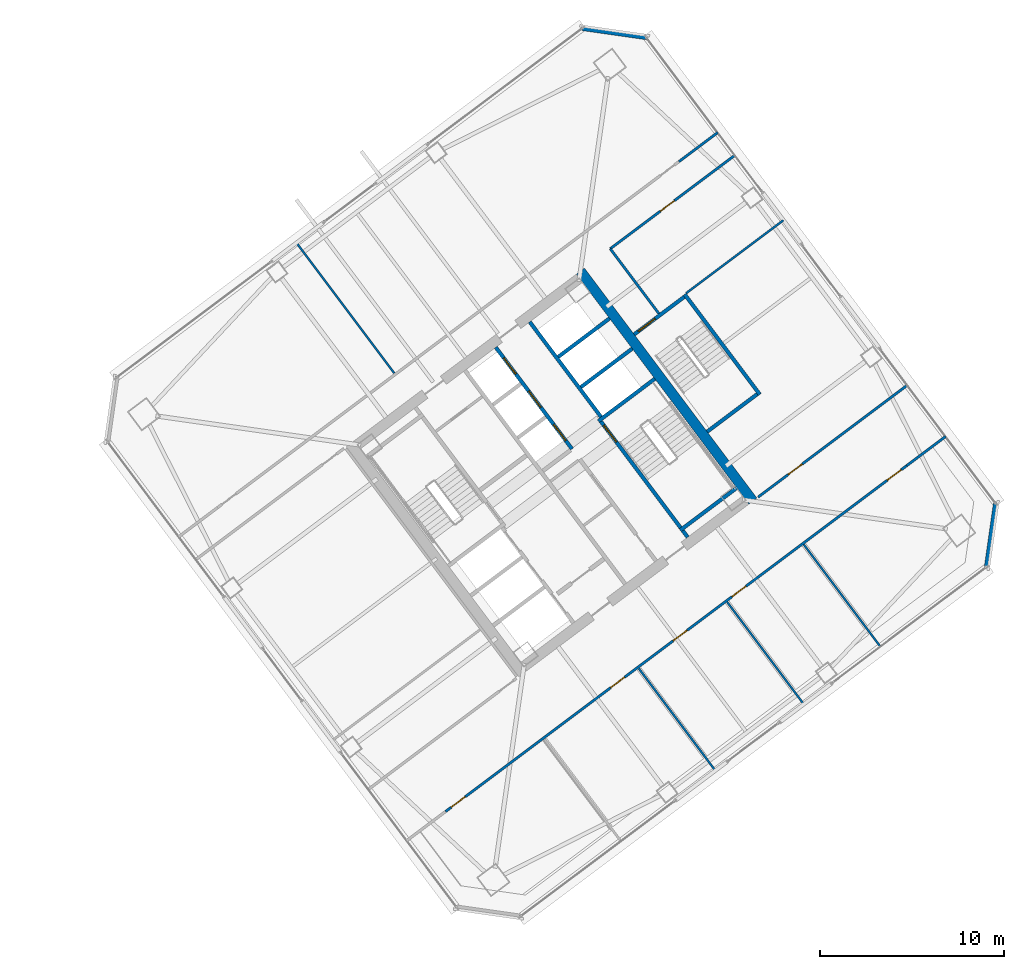
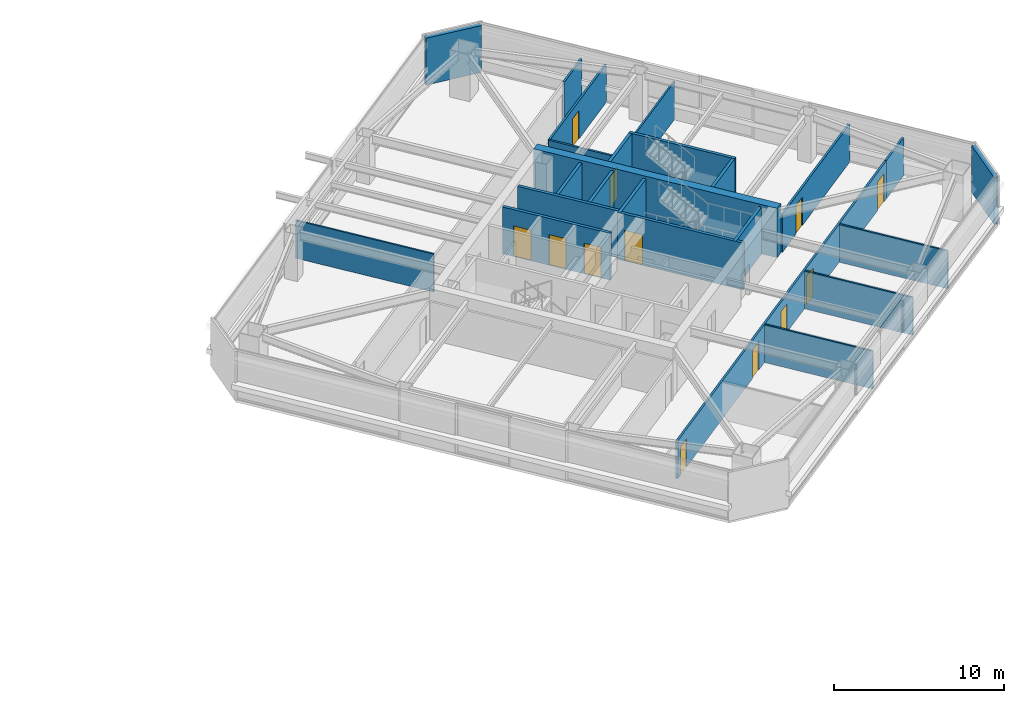
# One storey, part 35 of 42: 24 walls, 12 doors, 12 openings.
"""IFC4 building model written with IfcOpenShell, lengths in metres."""

from ifc_helpers import new_model, si_unit, direction, frame, frame_2d, origin, place, context, subcontext, project, spatial, rectangle, extrude, material, layer, layer_set, type_object, element, fill, save


model = new_model("IFC4")

# Units and contexts
model_context = context("Model", 3, precision=1e-05, world=origin(), true_north=direction((0.0, 1.0)))
body_context = subcontext(model_context, "Body", "Model", "MODEL_VIEW")
ifc_project = project(units=[si_unit("LENGTHUNIT", "METRE"), si_unit("AREAUNIT", "SQUARE_METRE"), si_unit("VOLUMEUNIT", "CUBIC_METRE"), si_unit("PLANEANGLEUNIT", "RADIAN"), si_unit("MASSUNIT", "GRAM", prefix="KILO")], contexts=[model_context])

# Site, building, storey
site_placement = place(None, origin())
site = spatial("IfcSite", under=ifc_project, at=site_placement, CompositionType="ELEMENT")
building_placement = place(site_placement, origin())
building = spatial("IfcBuilding", under=site, at=building_placement, Name="Tashvorn Skyway Center", CompositionType="ELEMENT")
storey_placement = place(building_placement, frame((0.0, 0.0, 121.5)))
storey = spatial("IfcBuildingStorey", under=building, at=storey_placement, Name="L32", CompositionType="ELEMENT", Elevation=121.5)

# Walls
ifc_material_1 = material(Name="Concrete C60/75", Category="concrete")
ifc_layer_1 = layer(ifc_material_1, 0.550048828125)
ifc_layer_set_1 = layer_set([ifc_layer_1], Name="Concrete C60/75")
wall_type_1 = type_object("IfcWallType", Name="WALL-CORE-550", PredefinedType="SHEAR", material=ifc_layer_set_1)
wall_1_placement = place(storey_placement, frame((115.56396484375, 42.923095703125, 0.0), z_axis=(0.0, 0.0, 1.0), x_axis=(0.600005007985, -0.799996243986, 0.0)))
element("IfcWall", 1, at=wall_1_placement, inside=storey, type_object=wall_type_1, Name="Tower 2 L32 East Core Shear Wall", PredefinedType="SHEAR", context=body_context, shape_type="SweptSolid", body=[
    extrude(rectangle(XDim=15.60009765625, YDim=0.550048828125, at=frame_2d((7.800048828125, 0.0))), origin(), (0.0, 0.0, 1.0), 3.550048828125),
])
ifc_material_2 = material(Name="Precast concrete C40/50", Category="concrete")
ifc_layer_2 = layer(ifc_material_2, 0.280029296875)
ifc_layer_set_2 = layer_set([ifc_layer_2], Name="Precast concrete C40/50")
wall_type_2 = type_object("IfcWallType", Name="WALL-EXT-280", PredefinedType="SOLIDWALL", material=ifc_layer_set_2)
for number, where, z_axis, x_axis, name in (
    (2, (115.659912109375, 56.1201171875, 0.0), (0.0, 0.0, 1.0), (0.989949493661, -0.141421356237, 0.0), "Tower 2 L32 NE Precast Chamfer Wall"),
    (3, (138.1201171875, 30.340087890625, 0.0), (0.0, 0.0, 1.0), (-0.141421356237, -0.989949493661, 0.0), "Tower 2 L32 SE Precast Chamfer Wall"),
):
    element("IfcWall", number, at=place(storey_placement, frame(where, z_axis=z_axis, x_axis=x_axis)), inside=storey, type_object=wall_type_2, Name=name, PredefinedType="SOLIDWALL", context=body_context, shape_type="SweptSolid", body=[
        extrude(rectangle(XDim=3.53564453125, YDim=0.280029296875, at=frame_2d((1.767822265625, 0.0))), origin(), (0.0, 0.0, 1.0), 3.3701171875),
    ])
ifc_material_3 = material(Name="Gypsum board on cold-formed steel stud framing", Category="steel")
ifc_layer_3 = layer(ifc_material_3, 0.110107421875)
ifc_layer_set_3 = layer_set([ifc_layer_3], Name="Gypsum board on cold-formed steel stud framing")
wall_type_3 = type_object("IfcWallType", Name="WALL-PART-110", PredefinedType="PARTITIONING", material=ifc_layer_set_3)
wall_2_placement = place(storey_placement, frame((105.4619140625, 37.384033203125, 0.0), z_axis=(0.0, 0.0, 1.0), x_axis=(-0.599982344389, 0.800013241404, 0.0)))
element("IfcWall", 4, at=wall_2_placement, inside=storey, type_object=wall_type_3, Name="Tower 2 L32 North Suite Partition 1", PredefinedType="PARTITIONING", context=body_context, shape_type="SweptSolid", body=[
    extrude(rectangle(XDim=8.849853515625, YDim=0.110107421875, at=frame_2d((4.4248046875, 0.0))), origin(), (0.0, 0.0, 1.0), 2.722900390625),
])
wall_3_placement = place(storey_placement, frame((122.887939453125, 15.81591796875, 0.0), z_axis=(0.0, 0.0, 1.0), x_axis=(-0.599983090003, 0.800012682219, 0.0)))
element("IfcWall", 5, at=wall_3_placement, inside=storey, type_object=wall_type_3, Name="Tower 2 L32 South Suite Partition 2", PredefinedType="PARTITIONING", context=body_context, shape_type="SweptSolid", body=[
    extrude(rectangle(XDim=6.93017578125, YDim=0.110107421875, at=frame_2d((3.465087890625, 0.0))), origin(), (0.0, 0.0, 1.0), 2.722900390625),
])
wall_4_placement = place(storey_placement, frame((127.68798828125, 19.416015625, 0.0), z_axis=(0.0, 0.0, 1.0), x_axis=(-0.6, 0.8, 0.0)))
element("IfcWall", 6, at=wall_4_placement, inside=storey, type_object=wall_type_3, Name="Tower 2 L32 South Suite Partition 3", PredefinedType="PARTITIONING", context=body_context, shape_type="SweptSolid", body=[
    extrude(rectangle(XDim=6.929931640625, YDim=0.110107421875, at=frame_2d((3.46484375, 0.0))), origin(), (0.0, 0.0, 1.0), 2.722900390625),
])
wall_5_placement = place(storey_placement, frame((131.847900390625, 22.535888671875, 0.0), z_axis=(0.0, 0.0, 1.0), x_axis=(-0.599983090003, 0.800012682219, 0.0)))
element("IfcWall", 7, at=wall_5_placement, inside=storey, type_object=wall_type_3, Name="Tower 2 L32 South Suite Partition 4", PredefinedType="PARTITIONING", context=body_context, shape_type="SweptSolid", body=[
    extrude(rectangle(XDim=6.93017578125, YDim=0.110107421875, at=frame_2d((3.465087890625, 0.0))), origin(), (0.0, 0.0, 1.0), 2.722900390625),
])
wall_6_placement = place(storey_placement, frame((126.583984375, 45.68798828125, 0.0), z_axis=(0.0, 0.0, 1.0), x_axis=(-0.800004438899, -0.599994081423, 0.0)))
element("IfcWall", 8, at=wall_6_placement, inside=storey, type_object=wall_type_3, Name="Tower 2 L32 East Suite Partition 1", PredefinedType="PARTITIONING", context=body_context, shape_type="SweptSolid", body=[
    extrude(rectangle(XDim=6.60009765625, YDim=0.110107421875, at=frame_2d((3.300048828125, 0.0))), origin(), (0.0, 0.0, 1.0), 2.722900390625),
])
ifc_layer_4 = layer(ifc_material_3, 0.135009765625)
ifc_layer_set_4 = layer_set([ifc_layer_4], Name="Gypsum board on cold-formed steel stud framing")
wall_type_4 = type_object("IfcWallType", Name="WALL-PART-135", PredefinedType="PARTITIONING", material=ifc_layer_set_4)
wall_7_placement = place(storey_placement, frame((119.823974609375, 40.617919921875, 0.0), z_axis=(0.0, 0.0, 1.0), x_axis=(-0.599982243973, 0.800013316712, 0.0)))
element("IfcWall", 9, at=wall_7_placement, inside=storey, type_object=wall_type_4, Name="Tower 2 L32 Stair 3 Access Corridor Wall", PredefinedType="PARTITIONING", context=body_context, shape_type="SweptSolid", body=[
    extrude(rectangle(XDim=4.39990234375, YDim=0.135009765625, at=frame_2d((2.199951171875, 0.0))), origin(), (0.0, 0.0, 1.0), 2.722900390625),
])
wall_8_placement = place(storey_placement, frame((120.909912109375, 48.8701171875, 0.0), z_axis=(0.0, 0.0, 1.0), x_axis=(0.80002227902, 0.599970293491, 0.0)))
element("IfcWall", 10, at=wall_8_placement, inside=storey, type_object=wall_type_4, Name="Tower 2 L32 North-East Suite South Wall", PredefinedType="PARTITIONING", context=body_context, shape_type="SweptSolid", body=[
    extrude(rectangle(XDim=2.6298828125, YDim=0.135009765625, at=frame_2d((1.31494140625, 0.0))), origin(), (0.0, 0.0, 1.0), 2.722900390625),
])

# Wall, openings, doors
wall_9_placement = place(storey_placement, frame((133.281982421875, 32.3740234375, 0.0), z_axis=(0.0, 0.0, 1.0), x_axis=(-0.8, -0.6, 0.0)))
wall_9 = element("IfcWall", 11, at=wall_9_placement, inside=storey, type_object=wall_type_4, Name="Tower 2 L32 South Suite Wall", PredefinedType="PARTITIONING", context=body_context, shape_type="SweptSolid", body=[
    extrude(rectangle(XDim=31.300048828125, YDim=0.135009765625, at=frame_2d((15.64990234375, 0.0))), origin(), (0.0, 0.0, 1.0), 2.722900390625),
])
opening_1_placement = place(wall_9_placement, frame((29.969970703125, 0.0, 0.0)))
opening_1 = element("IfcOpeningElement", 12, at=opening_1_placement, cuts=wall_9, Name="Opening D-INT-950", PredefinedType="OPENING", context=body_context, shape_type="SweptSolid", body=[
    extrude(rectangle(XDim=0.949951171875, YDim=2.050048828125, at=frame_2d((0.47509765625, 1.02490234375))), frame((0.0, 0.077392578125, 0.0), z_axis=(0.0, -1.0, 0.0), x_axis=(1.0, 0.0, 0.0)), (0.0, 0.0, 1.0), 0.155029296875),
])
opening_2_placement = place(wall_9_placement, frame((19.151123046875, 0.0, 0.0)))
opening_2 = element("IfcOpeningElement", 13, at=opening_2_placement, cuts=wall_9, Name="Opening D-INT-950", PredefinedType="OPENING", context=body_context, shape_type="SweptSolid", body=[
    extrude(rectangle(XDim=0.949951171875, YDim=2.050048828125, at=frame_2d((0.47509765625, 1.02490234375))), frame((0.0, 0.077392578125, 0.0), z_axis=(0.0, -1.0, 0.0), x_axis=(1.0, 0.0, 0.0)), (0.0, 0.0, 1.0), 0.155029296875),
])
opening_3_placement = place(wall_9_placement, frame((14.901123046875, 0.0, 0.0)))
opening_3 = element("IfcOpeningElement", 14, at=opening_3_placement, cuts=wall_9, Name="Opening D-INT-950", PredefinedType="OPENING", context=body_context, shape_type="SweptSolid", body=[
    extrude(rectangle(XDim=0.949951171875, YDim=2.050048828125, at=frame_2d((0.47509765625, 1.02490234375))), frame((0.0, 0.077392578125, 0.0), z_axis=(0.0, -1.0, 0.0), x_axis=(1.0, 0.0, 0.0)), (0.0, 0.0, 1.0), 0.155029296875),
])
opening_4_placement = place(wall_9_placement, frame((10.919921875, 0.0, 0.0)))
opening_4 = element("IfcOpeningElement", 15, at=opening_4_placement, cuts=wall_9, Name="Opening D-INT-950", PredefinedType="OPENING", context=body_context, shape_type="SweptSolid", body=[
    extrude(rectangle(XDim=0.949951171875, YDim=2.050048828125, at=frame_2d((0.47509765625, 1.02490234375))), frame((0.0, 0.077392578125, 0.0), z_axis=(0.0, -1.0, 0.0), x_axis=(1.0, 0.0, 0.0)), (0.0, 0.0, 1.0), 0.155029296875),
])
opening_5_placement = place(wall_9_placement, frame((0.3798828125, 0.0, 0.0)))
opening_5 = element("IfcOpeningElement", 16, at=opening_5_placement, cuts=wall_9, Name="Opening D-INT-950", PredefinedType="OPENING", context=body_context, shape_type="SweptSolid", body=[
    extrude(rectangle(XDim=0.949951171875, YDim=2.050048828125, at=frame_2d((0.47509765625, 1.02490234375))), frame((0.0, 0.077392578125, 0.0), z_axis=(0.0, -1.0, 0.0), x_axis=(1.0, 0.0, 0.0)), (0.0, 0.0, 1.0), 0.155029296875),
])
ifc_material_4 = material(Name="Solid-core architectural oak veneer door")
door_type_1 = type_object("IfcDoorType", Name="DOOR-INT-950", OperationType="NOTDEFINED", PredefinedType="DOOR", material=ifc_material_4)
door_1_placement = place(opening_1_placement, origin())
door_1 = element("IfcDoor", 17, at=door_1_placement, inside=storey, type_object=door_type_1, Name="Tower 2 L32 Executive Study Lounge Door", OperationType="SINGLE_SWING_RIGHT", OverallHeight=2.050048828125, OverallWidth=0.949951171875, PredefinedType="DOOR", context=body_context, shape_type="SweptSolid", body=[
    extrude(rectangle(XDim=0.949951171875, YDim=2.050048828125, at=frame_2d((0.47509765625, 1.02490234375))), frame((0.0, 0.02490234375, 0.0), z_axis=(0.0, -1.0, 0.0), x_axis=(1.0, 0.0, 0.0)), (0.0, 0.0, 1.0), 0.050048828125),
])
fill(opening_1, door_1)
door_2_placement = place(opening_2_placement, origin())
door_2 = element("IfcDoor", 18, at=door_2_placement, inside=storey, type_object=door_type_1, Name="Tower 2 L32 Design Studio Door", OperationType="SINGLE_SWING_LEFT", OverallHeight=2.050048828125, OverallWidth=0.949951171875, PredefinedType="DOOR", context=body_context, shape_type="SweptSolid", body=[
    extrude(rectangle(XDim=0.949951171875, YDim=2.050048828125, at=frame_2d((0.47509765625, 1.02490234375))), frame((0.0, 0.02490234375, 0.0), z_axis=(0.0, -1.0, 0.0), x_axis=(1.0, 0.0, 0.0)), (0.0, 0.0, 1.0), 0.050048828125),
])
fill(opening_2, door_2)
door_3_placement = place(opening_3_placement, origin())
door_3 = element("IfcDoor", 19, at=door_3_placement, inside=storey, type_object=door_type_1, Name="Tower 2 L32 Design Studio Door", OperationType="SINGLE_SWING_RIGHT", OverallHeight=2.050048828125, OverallWidth=0.949951171875, PredefinedType="DOOR", context=body_context, shape_type="SweptSolid", body=[
    extrude(rectangle(XDim=0.949951171875, YDim=2.050048828125, at=frame_2d((0.47509765625, 1.02490234375))), frame((0.0, 0.02490234375, 0.0), z_axis=(0.0, -1.0, 0.0), x_axis=(1.0, 0.0, 0.0)), (0.0, 0.0, 1.0), 0.050048828125),
])
fill(opening_3, door_3)
door_4_placement = place(opening_4_placement, origin())
door_4 = element("IfcDoor", 20, at=door_4_placement, inside=storey, type_object=door_type_1, Name="Tower 2 L32 Reading Lounge Door", OperationType="SINGLE_SWING_LEFT", OverallHeight=2.050048828125, OverallWidth=0.949951171875, PredefinedType="DOOR", context=body_context, shape_type="SweptSolid", body=[
    extrude(rectangle(XDim=0.949951171875, YDim=2.050048828125, at=frame_2d((0.47509765625, 1.02490234375))), frame((0.0, 0.02490234375, 0.0), z_axis=(0.0, -1.0, 0.0), x_axis=(1.0, 0.0, 0.0)), (0.0, 0.0, 1.0), 0.050048828125),
])
fill(opening_4, door_4)
door_5_placement = place(opening_5_placement, origin())
door_5 = element("IfcDoor", 21, at=door_5_placement, inside=storey, type_object=door_type_1, Name="Tower 2 L32 Open Plan Office Door", OperationType="SINGLE_SWING_RIGHT", OverallHeight=2.050048828125, OverallWidth=0.949951171875, PredefinedType="DOOR", context=body_context, shape_type="SweptSolid", body=[
    extrude(rectangle(XDim=0.949951171875, YDim=2.050048828125, at=frame_2d((0.47509765625, 1.02490234375))), frame((0.0, 0.02490234375, 0.0), z_axis=(0.0, -1.0, 0.0), x_axis=(1.0, 0.0, 0.0)), (0.0, 0.0, 1.0), 0.050048828125),
])
fill(opening_5, door_5)

# Wall
wall_10_placement = place(storey_placement, frame((133.281982421875, 32.3740234375, 0.0), z_axis=(0.0, 0.0, 1.0), x_axis=(0.80002227902, 0.599970293491, 0.0)))
element("IfcWall", 22, at=wall_10_placement, inside=storey, type_object=wall_type_4, Name="Tower 2 L32 South-East Suite North Wall", PredefinedType="PARTITIONING", context=body_context, shape_type="SweptSolid", body=[
    extrude(rectangle(XDim=2.6298828125, YDim=0.135009765625, at=frame_2d((1.31494140625, 0.0))), origin(), (0.0, 0.0, 1.0), 2.722900390625),
])

# Wall, opening, door
wall_11_placement = place(storey_placement, frame((123.944091796875, 49.2080078125, 0.0), z_axis=(0.0, 0.0, 1.0), x_axis=(-0.799996532921, -0.600004622744, 0.0)))
wall_11 = element("IfcWall", 23, at=wall_11_placement, inside=storey, type_object=wall_type_4, Name="Tower 2 L32 East Suite North Wall", PredefinedType="PARTITIONING", context=body_context, shape_type="SweptSolid", body=[
    extrude(rectangle(XDim=8.449951171875, YDim=0.135009765625, at=frame_2d((4.22509765625, 0.0))), origin(), (0.0, 0.0, 1.0), 2.722900390625),
])
opening_6_placement = place(wall_11_placement, frame((4.10009765625, 0.0, 0.0)))
opening_6 = element("IfcOpeningElement", 24, at=opening_6_placement, cuts=wall_11, Name="Opening D-INT-950", PredefinedType="OPENING", context=body_context, shape_type="SweptSolid", body=[
    extrude(rectangle(XDim=0.949951171875, YDim=2.050048828125, at=frame_2d((0.47509765625, 1.02490234375))), frame((0.0, 0.077392578125, 0.0), z_axis=(0.0, -1.0, 0.0), x_axis=(1.0, 0.0, 0.0)), (0.0, 0.0, 1.0), 0.155029296875),
])
door_6_placement = place(opening_6_placement, origin())
door_6 = element("IfcDoor", 25, at=door_6_placement, inside=storey, type_object=door_type_1, Name="Tower 2 L32 Open Plan Office Door", OperationType="SINGLE_SWING_LEFT", OverallHeight=2.050048828125, OverallWidth=0.949951171875, PredefinedType="DOOR", context=body_context, shape_type="SweptSolid", body=[
    extrude(rectangle(XDim=0.949951171875, YDim=2.050048828125, at=frame_2d((0.47509765625, 1.02490234375))), frame((0.0, 0.02490234375, 0.0), z_axis=(0.0, -1.0, 0.0), x_axis=(1.0, 0.0, 0.0)), (0.0, 0.0, 1.0), 0.050048828125),
])
fill(opening_6, door_6)

wall_12_placement = place(storey_placement, frame((125.2080078125, 30.656005859375, 0.0), z_axis=(0.0, 0.0, 1.0), x_axis=(0.799997105034, 0.600003859935, 0.0)))
wall_12 = element("IfcWall", 26, at=wall_12_placement, inside=storey, type_object=wall_type_4, Name="Tower 2 L32 East Suite South Wall", PredefinedType="PARTITIONING", context=body_context, shape_type="SweptSolid", body=[
    extrude(rectangle(XDim=10.119873046875, YDim=0.135009765625, at=frame_2d((5.06005859375, 0.0))), origin(), (0.0, 0.0, 1.0), 2.722900390625),
])
opening_7_placement = place(wall_12_placement, frame((2.044921875, 0.0, 0.0)))
opening_7 = element("IfcOpeningElement", 27, at=opening_7_placement, cuts=wall_12, Name="Opening D-INT-950", PredefinedType="OPENING", context=body_context, shape_type="SweptSolid", body=[
    extrude(rectangle(XDim=0.949951171875, YDim=2.050048828125, at=frame_2d((0.47509765625, 1.02490234375))), frame((0.0, 0.077392578125, 0.0), z_axis=(0.0, -1.0, 0.0), x_axis=(1.0, 0.0, 0.0)), (0.0, 0.0, 1.0), 0.155029296875),
])
door_7_placement = place(opening_7_placement, origin())
door_7 = element("IfcDoor", 28, at=door_7_placement, inside=storey, type_object=door_type_1, Name="Tower 2 L32 Public Restroom Door", OperationType="SINGLE_SWING_RIGHT", OverallHeight=2.050048828125, OverallWidth=0.949951171875, PredefinedType="DOOR", context=body_context, shape_type="SweptSolid", body=[
    extrude(rectangle(XDim=0.949951171875, YDim=2.050048828125, at=frame_2d((0.47509765625, 1.02490234375))), frame((0.0, 0.02490234375, 0.0), z_axis=(0.0, -1.0, 0.0), x_axis=(1.0, 0.0, 0.0)), (0.0, 0.0, 1.0), 0.050048828125),
])
fill(opening_7, door_7)

# Walls
ifc_material_5 = material(Name="Concrete C40/50", Category="concrete")
ifc_layer_5 = layer(ifc_material_5, 0.199951171875)
ifc_layer_set_5 = layer_set([ifc_layer_5], Name="Concrete C40/50")
wall_type_5 = type_object("IfcWallType", Name="WALL-SHAFT-200", PredefinedType="SOLIDWALL", material=ifc_layer_set_5)
for number, where, z_axis, x_axis, name in (
    (29, (115.590087890625, 36.6298828125, 0.0), (0.0, 0.0, 1.0), (0.799974743577, 0.600033673754, 0.0), "Tower 2 L32 High-Rise Shaft Divider"),
    (30, (114.360107421875, 38.27001953125, 0.0), (0.0, 0.0, 1.0), (0.800008418847, 0.599988774707, 0.0), "Tower 2 L32 High-Rise Shaft Divider"),
):
    element("IfcWall", number, at=place(storey_placement, frame(where, z_axis=z_axis, x_axis=x_axis)), inside=storey, type_object=wall_type_5, Name=name, PredefinedType="SOLIDWALL", context=body_context, shape_type="SweptSolid", body=[
        extrude(rectangle(XDim=3.47998046875, YDim=0.199951171875, at=frame_2d((1.739990234375, 0.0))), origin(), (0.0, 0.0, 1.0), 3.3701171875),
    ])

# Wall, openings, doors
wall_13_placement = place(storey_placement, frame((115.110107421875, 33.27001953125, 0.0), z_axis=(0.0, 0.0, 1.0), x_axis=(-0.600011322243, 0.799991508192, 0.0)))
wall_13 = element("IfcWall", 31, at=wall_13_placement, inside=storey, type_object=wall_type_5, Name="Tower 2 L32 Mid-Rise Core Wall", PredefinedType="SOLIDWALL", context=body_context, shape_type="SweptSolid", body=[
    extrude(rectangle(XDim=6.900146484375, YDim=0.199951171875, at=frame_2d((3.4501953125, 0.0))), origin(), (0.0, 0.0, 1.0), 3.3701171875),
])
opening_8_placement = place(wall_13_placement, frame((0.574951171875, 0.0, 0.0)))
opening_8 = element("IfcOpeningElement", 32, at=opening_8_placement, cuts=wall_13, Name="Opening LD-MR-T2-1-L32", PredefinedType="OPENING", context=body_context, shape_type="SweptSolid", body=[
    extrude(rectangle(XDim=1.10009765625, YDim=2.199951171875, at=frame_2d((0.550048828125, 1.10009765625))), frame((0.0, 0.10986328125, 0.0), z_axis=(0.0, -1.0, 0.0), x_axis=(1.0, 0.0, 0.0)), (0.0, 0.0, 1.0), 0.219970703125),
])
opening_9_placement = place(wall_13_placement, frame((2.824951171875, 0.0, 0.0)))
opening_9 = element("IfcOpeningElement", 33, at=opening_9_placement, cuts=wall_13, Name="Opening LD-MR-T2-2-L32", PredefinedType="OPENING", context=body_context, shape_type="SweptSolid", body=[
    extrude(rectangle(XDim=1.10009765625, YDim=2.199951171875, at=frame_2d((0.550048828125, 1.10009765625))), frame((0.0, 0.10986328125, 0.0), z_axis=(0.0, -1.0, 0.0), x_axis=(1.0, 0.0, 0.0)), (0.0, 0.0, 1.0), 0.219970703125),
])
opening_10_placement = place(wall_13_placement, frame((5.074951171875, 0.0, 0.0)))
opening_10 = element("IfcOpeningElement", 34, at=opening_10_placement, cuts=wall_13, Name="Opening LD-MR-T2-3-L32", PredefinedType="OPENING", context=body_context, shape_type="SweptSolid", body=[
    extrude(rectangle(XDim=1.10009765625, YDim=2.199951171875, at=frame_2d((0.550048828125, 1.10009765625))), frame((0.0, 0.10986328125, 0.0), z_axis=(0.0, -1.0, 0.0), x_axis=(1.0, 0.0, 0.0)), (0.0, 0.0, 1.0), 0.219970703125),
])
ifc_material_6 = material(Name="Stainless steel landing door", Category="steel")
door_type_2 = type_object("IfcDoorType", Name="DOOR-LIFT-1100", OperationType="SLIDING_TO_LEFT", PredefinedType="DOOR", material=ifc_material_6)
door_8_placement = place(opening_8_placement, origin())
door_8 = element("IfcDoor", 35, at=door_8_placement, inside=storey, type_object=door_type_2, Name="Lift MR-T2-1 L32 Landing Door", OperationType="SLIDING_TO_LEFT", OverallHeight=2.199951171875, OverallWidth=1.10009765625, PredefinedType="DOOR", context=body_context, shape_type="SweptSolid", body=[
    extrude(rectangle(XDim=1.10009765625, YDim=2.199951171875, at=frame_2d((0.550048828125, 1.10009765625))), frame((0.0, 0.02490234375, 0.0), z_axis=(0.0, -1.0, 0.0), x_axis=(1.0, 0.0, 0.0)), (0.0, 0.0, 1.0), 0.050048828125),
])
fill(opening_8, door_8)
door_9_placement = place(opening_9_placement, origin())
door_9 = element("IfcDoor", 36, at=door_9_placement, inside=storey, type_object=door_type_2, Name="Lift MR-T2-2 L32 Landing Door", OperationType="SLIDING_TO_LEFT", OverallHeight=2.199951171875, OverallWidth=1.10009765625, PredefinedType="DOOR", context=body_context, shape_type="SweptSolid", body=[
    extrude(rectangle(XDim=1.10009765625, YDim=2.199951171875, at=frame_2d((0.550048828125, 1.10009765625))), frame((0.0, 0.02490234375, 0.0), z_axis=(0.0, -1.0, 0.0), x_axis=(1.0, 0.0, 0.0)), (0.0, 0.0, 1.0), 0.050048828125),
])
fill(opening_9, door_9)
door_10_placement = place(opening_10_placement, origin())
door_10 = element("IfcDoor", 37, at=door_10_placement, inside=storey, type_object=door_type_2, Name="Lift MR-T2-3 L32 Landing Door", OperationType="SLIDING_TO_LEFT", OverallHeight=2.199951171875, OverallWidth=1.10009765625, PredefinedType="DOOR", context=body_context, shape_type="SweptSolid", body=[
    extrude(rectangle(XDim=1.10009765625, YDim=2.199951171875, at=frame_2d((0.550048828125, 1.10009765625))), frame((0.0, 0.02490234375, 0.0), z_axis=(0.0, -1.0, 0.0), x_axis=(1.0, 0.0, 0.0)), (0.0, 0.0, 1.0), 0.050048828125),
])
fill(opening_10, door_10)

# Wall, opening, door
ifc_layer_6 = layer(ifc_material_5, 0.199951171875)
ifc_layer_set_6 = layer_set([ifc_layer_6], Name="Concrete C40/50")
wall_type_6 = type_object("IfcWallType", Name="WALL-STSHF-200", PredefinedType="SHEAR", material=ifc_layer_set_6)
wall_14_placement = place(storey_placement, frame((116.56005859375, 34.919921875, 0.0), z_axis=(0.0, 0.0, 1.0), x_axis=(0.59999029481, -0.8000072788, 0.0)))
wall_14 = element("IfcWall", 38, at=wall_14_placement, inside=storey, type_object=wall_type_6, Name="Tower 2 L32 Stair 2 Enclosure Wall", PredefinedType="SHEAR", context=body_context, shape_type="SweptSolid", body=[
    extrude(rectangle(XDim=8.0498046875, YDim=0.199951171875, at=frame_2d((4.02490234375, 0.0))), origin(), (0.0, 0.0, 1.0), 3.3701171875),
])
opening_11_placement = place(wall_14_placement, frame((0.449951171875, 0.0, 0.0)))
opening_11 = element("IfcOpeningElement", 39, at=opening_11_placement, cuts=wall_14, Name="Opening D-ST-1150", PredefinedType="OPENING", context=body_context, shape_type="SweptSolid", body=[
    extrude(rectangle(XDim=1.14990234375, YDim=2.199951171875, at=frame_2d((0.574951171875, 1.10009765625))), frame((0.0, 0.10986328125, 0.0), z_axis=(0.0, -1.0, 0.0), x_axis=(1.0, 0.0, 0.0)), (0.0, 0.0, 1.0), 0.219970703125),
])
ifc_material_7 = material(Name="Hollow galvanized steel fire door assembly", Category="steel")
door_type_3 = type_object("IfcDoorType", Name="DOOR-STAIR-1150", OperationType="NOTDEFINED", PredefinedType="DOOR", material=ifc_material_7)
door_11_placement = place(opening_11_placement, origin())
door_11 = element("IfcDoor", 40, at=door_11_placement, inside=storey, type_object=door_type_3, Name="Tower 2 L32 Exit Stair 2 Door", OperationType="SINGLE_SWING_RIGHT", OverallHeight=2.199951171875, OverallWidth=1.14990234375, PredefinedType="DOOR", context=body_context, shape_type="SweptSolid", body=[
    extrude(rectangle(XDim=1.14990234375, YDim=2.199951171875, at=frame_2d((0.574951171875, 1.10009765625))), frame((0.0, 0.02490234375, 0.0), z_axis=(0.0, -1.0, 0.0), x_axis=(1.0, 0.0, 0.0)), (0.0, 0.0, 1.0), 0.050048828125),
])
fill(opening_11, door_11)

# Walls
for number, where, z_axis, x_axis, name in (
    (41, (116.5400390625, 34.780029296875, 0.0), (0.0, 0.0, 1.0), (0.800015298837, 0.599979601008, 0.0), "Tower 2 L32 Stair 2 North Wall"),
    (42, (120.97998046875, 28.860107421875, 0.0), (0.0, 0.0, 1.0), (0.800015298837, 0.599979601008, 0.0), "Tower 2 L32 Stair 2 South Wall"),
):
    element("IfcWall", number, at=place(storey_placement, frame(where, z_axis=z_axis, x_axis=x_axis)), inside=storey, type_object=wall_type_6, Name=name, PredefinedType="SHEAR", context=body_context, shape_type="SweptSolid", body=[
        extrude(rectangle(XDim=3.829833984375, YDim=0.199951171875, at=frame_2d((1.9150390625, 0.0))), origin(), (0.0, 0.0, 1.0), 3.3701171875),
    ])
wall_15_placement = place(storey_placement, frame((112.81005859375, 40.169921875, 0.0), z_axis=(0.0, 0.0, 1.0), x_axis=(0.599993943644, -0.800004542231, 0.0)))
element("IfcWall", 43, at=wall_15_placement, inside=storey, type_object=wall_type_6, Name="Tower 2 L32 High-Rise Lift Shaft Front Wall", PredefinedType="SHEAR", context=body_context, shape_type="SweptSolid", body=[
    extrude(rectangle(XDim=6.449951171875, YDim=0.199951171875, at=frame_2d((3.22509765625, 0.0))), origin(), (0.0, 0.0, 1.0), 3.3701171875),
])
wall_16_placement = place(storey_placement, frame((125.303955078125, 36.22802734375, 0.0), z_axis=(0.0, 0.0, 1.0), x_axis=(-0.59998851072, 0.800008616831, 0.0)))
element("IfcWall", 44, at=wall_16_placement, inside=storey, type_object=wall_type_6, Name="Tower 2 L32 Stair 3 Outer Wall", PredefinedType="SHEAR", context=body_context, shape_type="SweptSolid", body=[
    extrude(rectangle(XDim=6.7998046875, YDim=0.199951171875, at=frame_2d((3.39990234375, 0.0))), origin(), (0.0, 0.0, 1.0), 3.3701171875),
])

# Wall, opening, door
wall_17_placement = place(storey_placement, frame((121.2041015625, 41.528076171875, 0.0), z_axis=(0.0, 0.0, 1.0), x_axis=(-0.800017232136, -0.599977023131, 0.0)))
wall_17 = element("IfcWall", 45, at=wall_17_placement, inside=storey, type_object=wall_type_6, Name="Tower 2 L32 Stair 3 Enclosure Wall", PredefinedType="SHEAR", context=body_context, shape_type="SweptSolid", body=[
    extrude(rectangle(XDim=3.400146484375, YDim=0.199951171875, at=frame_2d((1.7001953125, 0.0))), origin(), (0.0, 0.0, 1.0), 3.3701171875),
])
opening_12_placement = place(wall_17_placement, frame((1.97509765625, 0.0, 0.0)))
opening_12 = element("IfcOpeningElement", 46, at=opening_12_placement, cuts=wall_17, Name="Opening D-ST-1150", PredefinedType="OPENING", context=body_context, shape_type="SweptSolid", body=[
    extrude(rectangle(XDim=1.14990234375, YDim=2.199951171875, at=frame_2d((0.574951171875, 1.10009765625))), frame((0.0, 0.10986328125, 0.0), z_axis=(0.0, -1.0, 0.0), x_axis=(1.0, 0.0, 0.0)), (0.0, 0.0, 1.0), 0.219970703125),
])
door_12_placement = place(opening_12_placement, origin())
door_12 = element("IfcDoor", 47, at=door_12_placement, inside=storey, type_object=door_type_3, Name="Tower 2 L32 Exit Stair 3 Door", OperationType="SINGLE_SWING_RIGHT", OverallHeight=2.199951171875, OverallWidth=1.14990234375, PredefinedType="DOOR", context=body_context, shape_type="SweptSolid", body=[
    extrude(rectangle(XDim=1.14990234375, YDim=2.199951171875, at=frame_2d((0.574951171875, 1.10009765625))), frame((0.0, 0.02490234375, 0.0), z_axis=(0.0, -1.0, 0.0), x_axis=(1.0, 0.0, 0.0)), (0.0, 0.0, 1.0), 0.050048828125),
])
fill(opening_12, door_12)

# Wall
wall_18_placement = place(storey_placement, frame((122.444091796875, 34.2080078125, 0.0), z_axis=(0.0, 0.0, 1.0), x_axis=(0.79999138319, 0.600011488909, 0.0)))
element("IfcWall", 48, at=wall_18_placement, inside=storey, type_object=wall_type_6, Name="Tower 2 L32 Stair 3 South Wall", PredefinedType="SHEAR", context=body_context, shape_type="SweptSolid", body=[
    extrude(rectangle(XDim=3.39990234375, YDim=0.199951171875, at=frame_2d((1.699951171875, 0.0))), origin(), (0.0, 0.0, 1.0), 3.3701171875),
])

save(model, "model.ifc")
